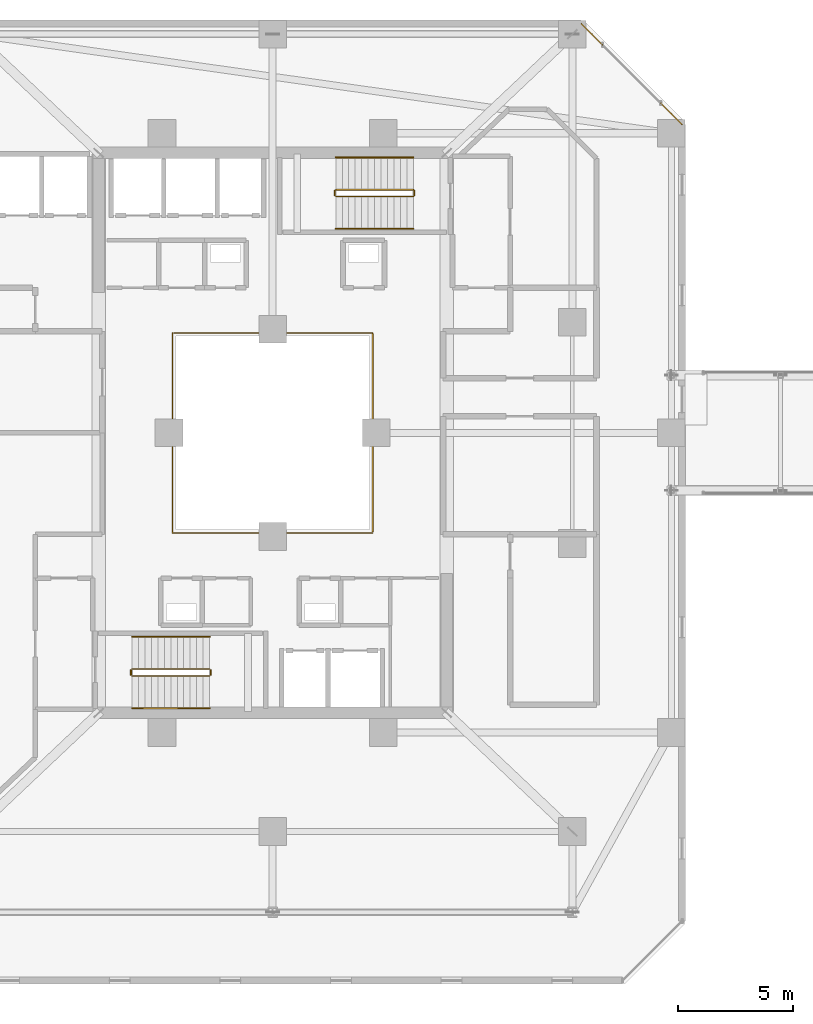
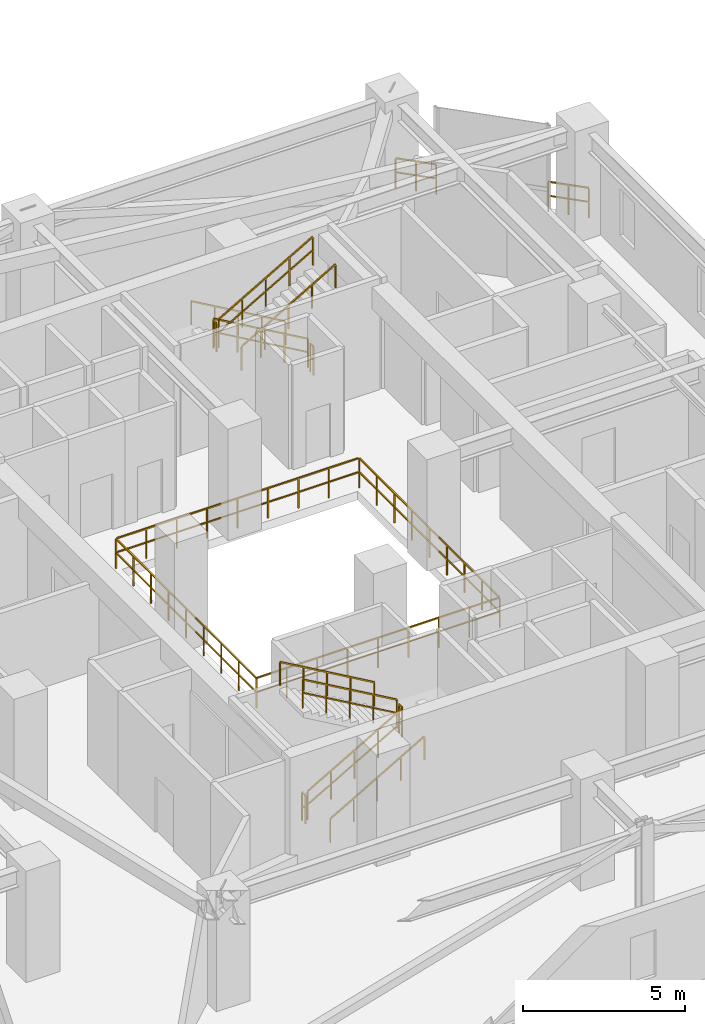
# One storey, part 44 of 45: 15 railings.
"""IFC4 building model written with IfcOpenShell, lengths in metres."""

from ifc_helpers import new_model, si_unit, direction, frame, origin, origin_2d, place, context, subcontext, project, spatial, rectangle, extrude, material, type_object, element, save


model = new_model("IFC4")

# Units and contexts
model_context = context("Model", 3, precision=1e-05, world=origin(), true_north=direction((0.0, 1.0)))
body_context = subcontext(model_context, "Body", "Model", "MODEL_VIEW")
ifc_project = project(units=[si_unit("LENGTHUNIT", "METRE"), si_unit("AREAUNIT", "SQUARE_METRE"), si_unit("VOLUMEUNIT", "CUBIC_METRE"), si_unit("PLANEANGLEUNIT", "RADIAN"), si_unit("MASSUNIT", "GRAM", prefix="KILO")], contexts=[model_context])

# Site, building, storey
site_placement = place(None, origin())
site = spatial("IfcSite", under=ifc_project, at=site_placement, CompositionType="ELEMENT")
building_placement = place(site_placement, origin())
building = spatial("IfcBuilding", under=site, at=building_placement, Name="Thornwick Lancets Civic Towers", CompositionType="ELEMENT")
storey_placement = place(building_placement, frame((0.0, 0.0, 141.300048828125)))
storey = spatial("IfcBuildingStorey", under=building, at=storey_placement, Name="L37", CompositionType="ELEMENT", Elevation=141.300048828125)

# Railings
ifc_material_1 = material(Name="Laminated glass and bronze steel S355", Category="steel")
railing_type_1 = type_object("IfcRailingType", Name="RAIL_ATRIUM_GUARD", PredefinedType="BALUSTRADE", material=ifc_material_1)
railing_1_placement = place(storey_placement, frame((21.159912109375, 22.659912109375, 0.0)))
element("IfcRailing", 1, at=railing_1_placement, inside=storey, type_object=railing_type_1, Name="L37 Tower A Central Atrium Guard Balustrade", PredefinedType="BALUSTRADE", context=body_context, shape_type="SweptSolid", body=[
    extrude(rectangle(XDim=0.048095703125, YDim=0.048095703125, at=origin_2d()), frame((0.0, 0.0, 1.1259765625), z_axis=(1.0, 0.0, 0.0), x_axis=(0.0, 1.0, 0.0)), (0.0, 0.0, 1.0), 8.64892578125),
    extrude(rectangle(XDim=0.0419921875, YDim=0.0419921875, at=origin_2d()), frame((0.03759765625, 0.0, 0.597900390625), z_axis=(1.0, 0.0, 0.0), x_axis=(0.0, 1.0, 0.0)), (0.0, 0.0, 1.0), 1.010009765625),
    extrude(rectangle(XDim=0.0419921875, YDim=0.0419921875, at=origin_2d()), frame((1.12255859375, 0.0, 0.597900390625), z_axis=(1.0, 0.0, 0.0), x_axis=(0.0, 1.0, 0.0)), (0.0, 0.0, 1.0), 1.010009765625),
    extrude(rectangle(XDim=0.0419921875, YDim=0.0419921875, at=origin_2d()), frame((2.20751953125, 0.0, 0.597900390625), z_axis=(1.0, 0.0, 0.0), x_axis=(0.0, 1.0, 0.0)), (0.0, 0.0, 1.0), 1.010009765625),
    extrude(rectangle(XDim=0.0419921875, YDim=0.0419921875, at=origin_2d()), frame((3.29248046875, 0.0, 0.597900390625), z_axis=(1.0, 0.0, 0.0), x_axis=(0.0, 1.0, 0.0)), (0.0, 0.0, 1.0), 1.010009765625),
    extrude(rectangle(XDim=0.0419921875, YDim=0.0419921875, at=origin_2d()), frame((4.377685546875, 0.0, 0.597900390625), z_axis=(1.0, 0.0, 0.0), x_axis=(0.0, 1.0, 0.0)), (0.0, 0.0, 1.0), 1.010009765625),
    extrude(rectangle(XDim=0.0419921875, YDim=0.0419921875, at=origin_2d()), frame((5.462646484375, 0.0, 0.597900390625), z_axis=(1.0, 0.0, 0.0), x_axis=(0.0, 1.0, 0.0)), (0.0, 0.0, 1.0), 1.010009765625),
    extrude(rectangle(XDim=0.0419921875, YDim=0.0419921875, at=origin_2d()), frame((6.547607421875, 0.0, 0.597900390625), z_axis=(1.0, 0.0, 0.0), x_axis=(0.0, 1.0, 0.0)), (0.0, 0.0, 1.0), 1.010009765625),
    extrude(rectangle(XDim=0.0419921875, YDim=0.0419921875, at=origin_2d()), frame((7.632568359375, 0.0, 0.597900390625), z_axis=(1.0, 0.0, 0.0), x_axis=(0.0, 1.0, 0.0)), (0.0, 0.0, 1.0), 1.010009765625),
    extrude(rectangle(XDim=0.048095703125, YDim=0.048095703125, at=origin_2d()), frame((8.68017578125, 0.03125, 1.1259765625), z_axis=(0.0, 1.0, 0.0), x_axis=(-1.0, 0.0, 0.0)), (0.0, 0.0, 1.0), 8.61767578125),
    extrude(rectangle(XDim=0.0419921875, YDim=0.0419921875, at=origin_2d()), frame((8.68017578125, 0.03759765625, 0.597900390625), z_axis=(0.0, 1.0, 0.0), x_axis=(-1.0, 0.0, 0.0)), (0.0, 0.0, 1.0), 1.010009765625),
    extrude(rectangle(XDim=0.0419921875, YDim=0.0419921875, at=origin_2d()), frame((8.68017578125, 1.12255859375, 0.597900390625), z_axis=(0.0, 1.0, 0.0), x_axis=(-1.0, 0.0, 0.0)), (0.0, 0.0, 1.0), 1.010009765625),
    extrude(rectangle(XDim=0.0419921875, YDim=0.0419921875, at=origin_2d()), frame((8.68017578125, 2.20751953125, 0.597900390625), z_axis=(0.0, 1.0, 0.0), x_axis=(-1.0, 0.0, 0.0)), (0.0, 0.0, 1.0), 1.010009765625),
    extrude(rectangle(XDim=0.0419921875, YDim=0.0419921875, at=origin_2d()), frame((8.68017578125, 3.29248046875, 0.597900390625), z_axis=(0.0, 1.0, 0.0), x_axis=(-1.0, 0.0, 0.0)), (0.0, 0.0, 1.0), 1.010009765625),
    extrude(rectangle(XDim=0.0419921875, YDim=0.0419921875, at=origin_2d()), frame((8.68017578125, 4.377685546875, 0.597900390625), z_axis=(0.0, 1.0, 0.0), x_axis=(-1.0, 0.0, 0.0)), (0.0, 0.0, 1.0), 1.010009765625),
    extrude(rectangle(XDim=0.0419921875, YDim=0.0419921875, at=origin_2d()), frame((8.68017578125, 5.462646484375, 0.597900390625), z_axis=(0.0, 1.0, 0.0), x_axis=(-1.0, 0.0, 0.0)), (0.0, 0.0, 1.0), 1.010009765625),
    extrude(rectangle(XDim=0.0419921875, YDim=0.0419921875, at=origin_2d()), frame((8.68017578125, 6.547607421875, 0.597900390625), z_axis=(0.0, 1.0, 0.0), x_axis=(-1.0, 0.0, 0.0)), (0.0, 0.0, 1.0), 1.010009765625),
    extrude(rectangle(XDim=0.0419921875, YDim=0.0419921875, at=origin_2d()), frame((8.68017578125, 7.632568359375, 0.597900390625), z_axis=(0.0, 1.0, 0.0), x_axis=(-1.0, 0.0, 0.0)), (0.0, 0.0, 1.0), 1.010009765625),
    extrude(rectangle(XDim=0.048095703125, YDim=0.048095703125, at=origin_2d()), frame((8.64892578125, 8.68017578125, 1.1259765625), z_axis=(-1.0, 0.0, 0.0), x_axis=(0.0, -1.0, 0.0)), (0.0, 0.0, 1.0), 8.61767578125),
    extrude(rectangle(XDim=0.0419921875, YDim=0.0419921875, at=origin_2d()), frame((8.642578125, 8.68017578125, 0.597900390625), z_axis=(-1.0, 0.0, 0.0), x_axis=(0.0, -1.0, 0.0)), (0.0, 0.0, 1.0), 1.010009765625),
    extrude(rectangle(XDim=0.0419921875, YDim=0.0419921875, at=origin_2d()), frame((7.5576171875, 8.68017578125, 0.597900390625), z_axis=(-1.0, 0.0, 0.0), x_axis=(0.0, -1.0, 0.0)), (0.0, 0.0, 1.0), 1.010009765625),
    extrude(rectangle(XDim=0.0419921875, YDim=0.0419921875, at=origin_2d()), frame((6.47265625, 8.68017578125, 0.597900390625), z_axis=(-1.0, 0.0, 0.0), x_axis=(0.0, -1.0, 0.0)), (0.0, 0.0, 1.0), 1.010009765625),
    extrude(rectangle(XDim=0.0419921875, YDim=0.0419921875, at=origin_2d()), frame((5.3876953125, 8.68017578125, 0.597900390625), z_axis=(-1.0, 0.0, 0.0), x_axis=(0.0, -1.0, 0.0)), (0.0, 0.0, 1.0), 1.010009765625),
    extrude(rectangle(XDim=0.0419921875, YDim=0.0419921875, at=origin_2d()), frame((4.302490234375, 8.68017578125, 0.597900390625), z_axis=(-1.0, 0.0, 0.0), x_axis=(0.0, -1.0, 0.0)), (0.0, 0.0, 1.0), 1.010009765625),
    extrude(rectangle(XDim=0.0419921875, YDim=0.0419921875, at=origin_2d()), frame((3.217529296875, 8.68017578125, 0.597900390625), z_axis=(-1.0, 0.0, 0.0), x_axis=(0.0, -1.0, 0.0)), (0.0, 0.0, 1.0), 1.010009765625),
    extrude(rectangle(XDim=0.0419921875, YDim=0.0419921875, at=origin_2d()), frame((2.132568359375, 8.68017578125, 0.597900390625), z_axis=(-1.0, 0.0, 0.0), x_axis=(0.0, -1.0, 0.0)), (0.0, 0.0, 1.0), 1.010009765625),
    extrude(rectangle(XDim=0.0419921875, YDim=0.0419921875, at=origin_2d()), frame((1.047607421875, 8.68017578125, 0.597900390625), z_axis=(-1.0, 0.0, 0.0), x_axis=(0.0, -1.0, 0.0)), (0.0, 0.0, 1.0), 1.010009765625),
    extrude(rectangle(XDim=0.048095703125, YDim=0.048095703125, at=origin_2d()), frame((0.0, 8.64892578125, 1.1259765625), z_axis=(0.0, -1.0, 0.0), x_axis=(1.0, 0.0, 0.0)), (0.0, 0.0, 1.0), 8.64892578125),
    extrude(rectangle(XDim=0.0419921875, YDim=0.0419921875, at=origin_2d()), frame((0.0, 8.642578125, 0.597900390625), z_axis=(0.0, -1.0, 0.0), x_axis=(1.0, 0.0, 0.0)), (0.0, 0.0, 1.0), 1.010009765625),
    extrude(rectangle(XDim=0.0419921875, YDim=0.0419921875, at=origin_2d()), frame((0.0, 7.5576171875, 0.597900390625), z_axis=(0.0, -1.0, 0.0), x_axis=(1.0, 0.0, 0.0)), (0.0, 0.0, 1.0), 1.010009765625),
    extrude(rectangle(XDim=0.0419921875, YDim=0.0419921875, at=origin_2d()), frame((0.0, 6.47265625, 0.597900390625), z_axis=(0.0, -1.0, 0.0), x_axis=(1.0, 0.0, 0.0)), (0.0, 0.0, 1.0), 1.010009765625),
    extrude(rectangle(XDim=0.0419921875, YDim=0.0419921875, at=origin_2d()), frame((0.0, 5.3876953125, 0.597900390625), z_axis=(0.0, -1.0, 0.0), x_axis=(1.0, 0.0, 0.0)), (0.0, 0.0, 1.0), 1.010009765625),
    extrude(rectangle(XDim=0.0419921875, YDim=0.0419921875, at=origin_2d()), frame((0.0, 4.302490234375, 0.597900390625), z_axis=(0.0, -1.0, 0.0), x_axis=(1.0, 0.0, 0.0)), (0.0, 0.0, 1.0), 1.010009765625),
    extrude(rectangle(XDim=0.0419921875, YDim=0.0419921875, at=origin_2d()), frame((0.0, 3.217529296875, 0.597900390625), z_axis=(0.0, -1.0, 0.0), x_axis=(1.0, 0.0, 0.0)), (0.0, 0.0, 1.0), 1.010009765625),
    extrude(rectangle(XDim=0.0419921875, YDim=0.0419921875, at=origin_2d()), frame((0.0, 2.132568359375, 0.597900390625), z_axis=(0.0, -1.0, 0.0), x_axis=(1.0, 0.0, 0.0)), (0.0, 0.0, 1.0), 1.010009765625),
    extrude(rectangle(XDim=0.0419921875, YDim=0.0419921875, at=origin_2d()), frame((0.0, 1.047607421875, 0.597900390625), z_axis=(0.0, -1.0, 0.0), x_axis=(1.0, 0.0, 0.0)), (0.0, 0.0, 1.0), 1.010009765625),
    extrude(rectangle(XDim=0.0419921875, YDim=0.0419921875, at=origin_2d()), origin(), (0.0, 0.0, 1.0), 1.095703125),
    extrude(rectangle(XDim=0.0419921875, YDim=0.0419921875, at=origin_2d()), frame((1.0849609375, 0.0, 0.0)), (0.0, 0.0, 1.0), 1.095703125),
    extrude(rectangle(XDim=0.0419921875, YDim=0.0419921875, at=origin_2d()), frame((2.169921875, 0.0, 0.0)), (0.0, 0.0, 1.0), 1.095703125),
    extrude(rectangle(XDim=0.0419921875, YDim=0.0419921875, at=origin_2d()), frame((3.255126953125, 0.0, 0.0)), (0.0, 0.0, 1.0), 1.095703125),
    extrude(rectangle(XDim=0.0419921875, YDim=0.0419921875, at=origin_2d()), frame((4.340087890625, 0.0, 0.0)), (0.0, 0.0, 1.0), 1.095703125),
    extrude(rectangle(XDim=0.0419921875, YDim=0.0419921875, at=origin_2d()), frame((5.425048828125, 0.0, 0.0)), (0.0, 0.0, 1.0), 1.095703125),
    extrude(rectangle(XDim=0.0419921875, YDim=0.0419921875, at=origin_2d()), frame((6.51025390625, 0.0, 0.0)), (0.0, 0.0, 1.0), 1.095703125),
    extrude(rectangle(XDim=0.0419921875, YDim=0.0419921875, at=origin_2d()), frame((7.59521484375, 0.0, 0.0)), (0.0, 0.0, 1.0), 1.095703125),
    extrude(rectangle(XDim=0.0419921875, YDim=0.0419921875, at=origin_2d()), frame((8.68017578125, 0.0, 0.0)), (0.0, 0.0, 1.0), 1.095703125),
    extrude(rectangle(XDim=0.0419921875, YDim=0.0419921875, at=origin_2d()), frame((8.68017578125, 1.0849609375, 0.0)), (0.0, 0.0, 1.0), 1.095703125),
    extrude(rectangle(XDim=0.0419921875, YDim=0.0419921875, at=origin_2d()), frame((8.68017578125, 2.169921875, 0.0)), (0.0, 0.0, 1.0), 1.095703125),
    extrude(rectangle(XDim=0.0419921875, YDim=0.0419921875, at=origin_2d()), frame((8.68017578125, 3.255126953125, 0.0)), (0.0, 0.0, 1.0), 1.095703125),
    extrude(rectangle(XDim=0.0419921875, YDim=0.0419921875, at=origin_2d()), frame((8.68017578125, 4.340087890625, 0.0)), (0.0, 0.0, 1.0), 1.095703125),
    extrude(rectangle(XDim=0.0419921875, YDim=0.0419921875, at=origin_2d()), frame((8.68017578125, 5.425048828125, 0.0)), (0.0, 0.0, 1.0), 1.095703125),
    extrude(rectangle(XDim=0.0419921875, YDim=0.0419921875, at=origin_2d()), frame((8.68017578125, 6.51025390625, 0.0)), (0.0, 0.0, 1.0), 1.095703125),
    extrude(rectangle(XDim=0.0419921875, YDim=0.0419921875, at=origin_2d()), frame((8.68017578125, 7.59521484375, 0.0)), (0.0, 0.0, 1.0), 1.095703125),
    extrude(rectangle(XDim=0.0419921875, YDim=0.0419921875, at=origin_2d()), frame((8.68017578125, 8.68017578125, 0.0)), (0.0, 0.0, 1.0), 1.095703125),
    extrude(rectangle(XDim=0.0419921875, YDim=0.0419921875, at=origin_2d()), frame((7.59521484375, 8.68017578125, 0.0)), (0.0, 0.0, 1.0), 1.095703125),
    extrude(rectangle(XDim=0.0419921875, YDim=0.0419921875, at=origin_2d()), frame((6.51025390625, 8.68017578125, 0.0)), (0.0, 0.0, 1.0), 1.095703125),
    extrude(rectangle(XDim=0.0419921875, YDim=0.0419921875, at=origin_2d()), frame((5.425048828125, 8.68017578125, 0.0)), (0.0, 0.0, 1.0), 1.095703125),
    extrude(rectangle(XDim=0.0419921875, YDim=0.0419921875, at=origin_2d()), frame((4.340087890625, 8.68017578125, 0.0)), (0.0, 0.0, 1.0), 1.095703125),
    extrude(rectangle(XDim=0.0419921875, YDim=0.0419921875, at=origin_2d()), frame((3.255126953125, 8.68017578125, 0.0)), (0.0, 0.0, 1.0), 1.095703125),
    extrude(rectangle(XDim=0.0419921875, YDim=0.0419921875, at=origin_2d()), frame((2.169921875, 8.68017578125, 0.0)), (0.0, 0.0, 1.0), 1.095703125),
    extrude(rectangle(XDim=0.0419921875, YDim=0.0419921875, at=origin_2d()), frame((1.0849609375, 8.68017578125, 0.0)), (0.0, 0.0, 1.0), 1.095703125),
    extrude(rectangle(XDim=0.0419921875, YDim=0.0419921875, at=origin_2d()), frame((0.0, 8.68017578125, 0.0)), (0.0, 0.0, 1.0), 1.095703125),
    extrude(rectangle(XDim=0.0419921875, YDim=0.0419921875, at=origin_2d()), frame((0.0, 7.59521484375, 0.0)), (0.0, 0.0, 1.0), 1.095703125),
    extrude(rectangle(XDim=0.0419921875, YDim=0.0419921875, at=origin_2d()), frame((0.0, 6.51025390625, 0.0)), (0.0, 0.0, 1.0), 1.095703125),
    extrude(rectangle(XDim=0.0419921875, YDim=0.0419921875, at=origin_2d()), frame((0.0, 5.425048828125, 0.0)), (0.0, 0.0, 1.0), 1.095703125),
    extrude(rectangle(XDim=0.0419921875, YDim=0.0419921875, at=origin_2d()), frame((0.0, 4.340087890625, 0.0)), (0.0, 0.0, 1.0), 1.095703125),
    extrude(rectangle(XDim=0.0419921875, YDim=0.0419921875, at=origin_2d()), frame((0.0, 3.255126953125, 0.0)), (0.0, 0.0, 1.0), 1.095703125),
    extrude(rectangle(XDim=0.0419921875, YDim=0.0419921875, at=origin_2d()), frame((0.0, 2.169921875, 0.0)), (0.0, 0.0, 1.0), 1.095703125),
    extrude(rectangle(XDim=0.0419921875, YDim=0.0419921875, at=origin_2d()), frame((0.0, 1.0849609375, 0.0)), (0.0, 0.0, 1.0), 1.095703125),
])
ifc_material_2 = material(Name="Brushed stainless steel S355", Category="steel")
railing_type_2 = type_object("IfcRailingType", Name="RAIL_HANDRAIL", PredefinedType="HANDRAIL", material=ifc_material_2)
railing_2_placement = place(storey_placement, frame((19.39990234375, 15.050048828125, 0.161376953125)))
element("IfcRailing", 2, at=railing_2_placement, inside=storey, type_object=railing_type_2, Name="L37 ST-A1 stair handrail 1", PredefinedType="HANDRAIL", context=body_context, shape_type="SweptSolid", body=[
    extrude(rectangle(XDim=0.048095703125, YDim=0.048095703125, at=origin_2d()), frame((0.0, 0.0, 0.8857421875), z_axis=(0.866190824863, 0.0, 0.499713372768), x_axis=(0.0, 1.0, 0.0)), (0.0, 0.0, 1.0), 3.879150390625),
    extrude(rectangle(XDim=0.0419921875, YDim=0.0419921875, at=origin_2d()), origin(), (0.0, 0.0, 1.0), 0.855712890625),
    extrude(rectangle(XDim=0.0419921875, YDim=0.0419921875, at=origin_2d()), frame((0.840087890625, 0.0, 0.484619140625)), (0.0, 0.0, 1.0), 0.855712890625),
    extrude(rectangle(XDim=0.0419921875, YDim=0.0419921875, at=origin_2d()), frame((1.68017578125, 0.0, 0.96923828125)), (0.0, 0.0, 1.0), 0.855712890625),
    extrude(rectangle(XDim=0.0419921875, YDim=0.0419921875, at=origin_2d()), frame((2.52001953125, 0.0, 1.453857421875)), (0.0, 0.0, 1.0), 0.855712890625),
    extrude(rectangle(XDim=0.0419921875, YDim=0.0419921875, at=origin_2d()), frame((3.360107421875, 0.0, 1.9384765625)), (0.0, 0.0, 1.0), 0.855712890625),
])
for number, where, name in (
    (3, (22.760009765625, 18.14990234375, 2.261474609375), "L37 ST-A1 stair handrail 2"),
    (4, (31.60009765625, 38.949951171875, 0.161376953125), "L37 ST-A2 stair handrail 1"),
):
    element("IfcRailing", number, at=place(storey_placement, frame(where)), inside=storey, type_object=railing_type_2, Name=name, PredefinedType="HANDRAIL", context=body_context, shape_type="SweptSolid", body=[
        extrude(rectangle(XDim=0.048095703125, YDim=0.048095703125, at=origin_2d()), frame((0.0, 0.0, 0.8857421875), z_axis=(-0.866190824863, 0.0, 0.499713372768), x_axis=(0.0, -1.0, 0.0)), (0.0, 0.0, 1.0), 3.879150390625),
        extrude(rectangle(XDim=0.0419921875, YDim=0.0419921875, at=origin_2d()), origin(), (0.0, 0.0, 1.0), 0.855712890625),
        extrude(rectangle(XDim=0.0419921875, YDim=0.0419921875, at=origin_2d()), frame((-0.840087890625, 0.0, 0.484619140625)), (0.0, 0.0, 1.0), 0.855712890625),
        extrude(rectangle(XDim=0.0419921875, YDim=0.0419921875, at=origin_2d()), frame((-1.68017578125, 0.0, 0.96923828125)), (0.0, 0.0, 1.0), 0.855712890625),
        extrude(rectangle(XDim=0.0419921875, YDim=0.0419921875, at=origin_2d()), frame((-2.52001953125, 0.0, 1.453857421875)), (0.0, 0.0, 1.0), 0.855712890625),
        extrude(rectangle(XDim=0.0419921875, YDim=0.0419921875, at=origin_2d()), frame((-3.360107421875, 0.0, 1.9384765625)), (0.0, 0.0, 1.0), 0.855712890625),
    ])
railing_3_placement = place(storey_placement, frame((28.239990234375, 35.85009765625, 2.261474609375)))
element("IfcRailing", 5, at=railing_3_placement, inside=storey, type_object=railing_type_2, Name="L37 ST-A2 stair handrail 2", PredefinedType="HANDRAIL", context=body_context, shape_type="SweptSolid", body=[
    extrude(rectangle(XDim=0.048095703125, YDim=0.048095703125, at=origin_2d()), frame((0.0, 0.0, 0.8857421875), z_axis=(0.866190824863, 0.0, 0.499713372768), x_axis=(0.0, 1.0, 0.0)), (0.0, 0.0, 1.0), 3.879150390625),
    extrude(rectangle(XDim=0.0419921875, YDim=0.0419921875, at=origin_2d()), origin(), (0.0, 0.0, 1.0), 0.855712890625),
    extrude(rectangle(XDim=0.0419921875, YDim=0.0419921875, at=origin_2d()), frame((0.840087890625, 0.0, 0.484619140625)), (0.0, 0.0, 1.0), 0.855712890625),
    extrude(rectangle(XDim=0.0419921875, YDim=0.0419921875, at=origin_2d()), frame((1.68017578125, 0.0, 0.96923828125)), (0.0, 0.0, 1.0), 0.855712890625),
    extrude(rectangle(XDim=0.0419921875, YDim=0.0419921875, at=origin_2d()), frame((2.52001953125, 0.0, 1.453857421875)), (0.0, 0.0, 1.0), 0.855712890625),
    extrude(rectangle(XDim=0.0419921875, YDim=0.0419921875, at=origin_2d()), frame((3.360107421875, 0.0, 1.9384765625)), (0.0, 0.0, 1.0), 0.855712890625),
])
ifc_material_3 = material(Name="Steel S355JR", Category="steel")
railing_type_3 = type_object("IfcRailingType", Name="RAIL_STAIR_GUARD", PredefinedType="GUARDRAIL", material=ifc_material_3)
railing_4_placement = place(storey_placement, frame((19.39990234375, 16.449951171875, 0.161376953125)))
element("IfcRailing", 6, at=railing_4_placement, inside=storey, type_object=railing_type_3, Name="L37 ST-A1 stair guard 1", PredefinedType="GUARDRAIL", context=body_context, shape_type="SweptSolid", body=[
    extrude(rectangle(XDim=0.048095703125, YDim=0.048095703125, at=origin_2d()), frame((0.0, 0.0, 1.076171875), z_axis=(0.866190824863, 0.0, 0.499713372768), x_axis=(0.0, 1.0, 0.0)), (0.0, 0.0, 1.0), 3.879150390625),
    extrude(rectangle(XDim=0.0419921875, YDim=0.0419921875, at=origin_2d()), frame((0.032470703125, 0.0, 0.5908203125), z_axis=(0.866190824863, 0.0, 0.499713372768), x_axis=(0.0, 1.0, 0.0)), (0.0, 0.0, 1.0), 0.894775390625),
    extrude(rectangle(XDim=0.0419921875, YDim=0.0419921875, at=origin_2d()), frame((0.87255859375, 0.0, 1.075439453125), z_axis=(0.866190824863, 0.0, 0.499713372768), x_axis=(0.0, 1.0, 0.0)), (0.0, 0.0, 1.0), 0.894775390625),
    extrude(rectangle(XDim=0.0419921875, YDim=0.0419921875, at=origin_2d()), frame((1.712646484375, 0.0, 1.56005859375), z_axis=(0.866190824863, 0.0, 0.499713372768), x_axis=(0.0, 1.0, 0.0)), (0.0, 0.0, 1.0), 0.894775390625),
    extrude(rectangle(XDim=0.0419921875, YDim=0.0419921875, at=origin_2d()), frame((2.552490234375, 0.0, 2.044677734375), z_axis=(0.866190824863, 0.0, 0.499713372768), x_axis=(0.0, 1.0, 0.0)), (0.0, 0.0, 1.0), 0.894775390625),
    extrude(rectangle(XDim=0.0419921875, YDim=0.0419921875, at=origin_2d()), origin(), (0.0, 0.0, 1.0), 1.0458984375),
    extrude(rectangle(XDim=0.0419921875, YDim=0.0419921875, at=origin_2d()), frame((0.840087890625, 0.0, 0.484619140625)), (0.0, 0.0, 1.0), 1.0458984375),
    extrude(rectangle(XDim=0.0419921875, YDim=0.0419921875, at=origin_2d()), frame((1.68017578125, 0.0, 0.96923828125)), (0.0, 0.0, 1.0), 1.0458984375),
    extrude(rectangle(XDim=0.0419921875, YDim=0.0419921875, at=origin_2d()), frame((2.52001953125, 0.0, 1.453857421875)), (0.0, 0.0, 1.0), 1.0458984375),
    extrude(rectangle(XDim=0.0419921875, YDim=0.0419921875, at=origin_2d()), frame((3.360107421875, 0.0, 1.9384765625)), (0.0, 0.0, 1.0), 1.0458984375),
])
railing_5_placement = place(storey_placement, frame((22.81005859375, 16.5, 2.099853515625)))
element("IfcRailing", 7, at=railing_5_placement, inside=storey, type_object=railing_type_3, Name="L37 ST-A1 stair guard 2", PredefinedType="GUARDRAIL", context=body_context, shape_type="SweptSolid", body=[
    extrude(rectangle(XDim=0.048095703125, YDim=0.048095703125, at=origin_2d()), frame((0.0, 0.0, 1.076171875), z_axis=(0.0, 1.0, 0.0), x_axis=(-1.0, 0.0, 0.0)), (0.0, 0.0, 1.0), 0.199951171875),
    extrude(rectangle(XDim=0.0419921875, YDim=0.0419921875, at=origin_2d()), frame((0.0, 0.03759765625, 0.572021484375), z_axis=(0.0, 1.0, 0.0), x_axis=(-1.0, 0.0, 0.0)), (0.0, 0.0, 1.0), 0.125),
    extrude(rectangle(XDim=0.0419921875, YDim=0.0419921875, at=origin_2d()), origin(), (0.0, 0.0, 1.0), 1.0458984375),
    extrude(rectangle(XDim=0.0419921875, YDim=0.0419921875, at=origin_2d()), frame((0.0, 0.199951171875, 0.0)), (0.0, 0.0, 1.0), 1.0458984375),
])
railing_6_placement = place(storey_placement, frame((22.760009765625, 16.75, 2.261474609375)))
element("IfcRailing", 8, at=railing_6_placement, inside=storey, type_object=railing_type_3, Name="L37 ST-A1 stair guard 3", PredefinedType="GUARDRAIL", context=body_context, shape_type="SweptSolid", body=[
    extrude(rectangle(XDim=0.048095703125, YDim=0.048095703125, at=origin_2d()), frame((0.0, 0.0, 1.076171875), z_axis=(-0.866190824863, 0.0, 0.499713372768), x_axis=(0.0, -1.0, 0.0)), (0.0, 0.0, 1.0), 3.879150390625),
    extrude(rectangle(XDim=0.0419921875, YDim=0.0419921875, at=origin_2d()), frame((-0.032470703125, 0.0, 0.5908203125), z_axis=(-0.866190824863, 0.0, 0.499713372768), x_axis=(0.0, -1.0, 0.0)), (0.0, 0.0, 1.0), 0.894775390625),
    extrude(rectangle(XDim=0.0419921875, YDim=0.0419921875, at=origin_2d()), frame((-0.87255859375, 0.0, 1.075439453125), z_axis=(-0.866190824863, 0.0, 0.499713372768), x_axis=(0.0, -1.0, 0.0)), (0.0, 0.0, 1.0), 0.894775390625),
    extrude(rectangle(XDim=0.0419921875, YDim=0.0419921875, at=origin_2d()), frame((-1.712646484375, 0.0, 1.56005859375), z_axis=(-0.866190824863, 0.0, 0.499713372768), x_axis=(0.0, -1.0, 0.0)), (0.0, 0.0, 1.0), 0.894775390625),
    extrude(rectangle(XDim=0.0419921875, YDim=0.0419921875, at=origin_2d()), frame((-2.552490234375, 0.0, 2.044677734375), z_axis=(-0.866190824863, 0.0, 0.499713372768), x_axis=(0.0, -1.0, 0.0)), (0.0, 0.0, 1.0), 0.894775390625),
    extrude(rectangle(XDim=0.0419921875, YDim=0.0419921875, at=origin_2d()), origin(), (0.0, 0.0, 1.0), 1.0458984375),
    extrude(rectangle(XDim=0.0419921875, YDim=0.0419921875, at=origin_2d()), frame((-0.840087890625, 0.0, 0.484619140625)), (0.0, 0.0, 1.0), 1.0458984375),
    extrude(rectangle(XDim=0.0419921875, YDim=0.0419921875, at=origin_2d()), frame((-1.68017578125, 0.0, 0.96923828125)), (0.0, 0.0, 1.0), 1.0458984375),
    extrude(rectangle(XDim=0.0419921875, YDim=0.0419921875, at=origin_2d()), frame((-2.52001953125, 0.0, 1.453857421875)), (0.0, 0.0, 1.0), 1.0458984375),
    extrude(rectangle(XDim=0.0419921875, YDim=0.0419921875, at=origin_2d()), frame((-3.360107421875, 0.0, 1.9384765625)), (0.0, 0.0, 1.0), 1.0458984375),
])
railing_7_placement = place(storey_placement, frame((19.35009765625, 16.5, 0.0)))
element("IfcRailing", 9, at=railing_7_placement, inside=storey, type_object=railing_type_3, Name="L37 ST-A1 stair guard 4", PredefinedType="GUARDRAIL", context=body_context, shape_type="SweptSolid", body=[
    extrude(rectangle(XDim=0.048095703125, YDim=0.048095703125, at=origin_2d()), frame((0.0, 0.0, 1.076171875), z_axis=(0.0, 1.0, 0.0), x_axis=(-1.0, 0.0, 0.0)), (0.0, 0.0, 1.0), 0.199951171875),
    extrude(rectangle(XDim=0.0419921875, YDim=0.0419921875, at=origin_2d()), frame((0.0, 0.03759765625, 0.572021484375), z_axis=(0.0, 1.0, 0.0), x_axis=(-1.0, 0.0, 0.0)), (0.0, 0.0, 1.0), 0.125),
    extrude(rectangle(XDim=0.0419921875, YDim=0.0419921875, at=origin_2d()), origin(), (0.0, 0.0, 1.0), 1.0458984375),
    extrude(rectangle(XDim=0.0419921875, YDim=0.0419921875, at=origin_2d()), frame((0.0, 0.199951171875, 0.0)), (0.0, 0.0, 1.0), 1.0458984375),
])
railing_8_placement = place(storey_placement, frame((31.60009765625, 37.550048828125, 0.161376953125)))
element("IfcRailing", 10, at=railing_8_placement, inside=storey, type_object=railing_type_3, Name="L37 ST-A2 stair guard 1", PredefinedType="GUARDRAIL", context=body_context, shape_type="SweptSolid", body=[
    extrude(rectangle(XDim=0.048095703125, YDim=0.048095703125, at=origin_2d()), frame((0.0, 0.0, 1.076171875), z_axis=(-0.866190824863, 0.0, 0.499713372768), x_axis=(0.0, -1.0, 0.0)), (0.0, 0.0, 1.0), 3.879150390625),
    extrude(rectangle(XDim=0.0419921875, YDim=0.0419921875, at=origin_2d()), frame((-0.032470703125, 0.0, 0.5908203125), z_axis=(-0.866190824863, 0.0, 0.499713372768), x_axis=(0.0, -1.0, 0.0)), (0.0, 0.0, 1.0), 0.894775390625),
    extrude(rectangle(XDim=0.0419921875, YDim=0.0419921875, at=origin_2d()), frame((-0.87255859375, 0.0, 1.075439453125), z_axis=(-0.866190824863, 0.0, 0.499713372768), x_axis=(0.0, -1.0, 0.0)), (0.0, 0.0, 1.0), 0.894775390625),
    extrude(rectangle(XDim=0.0419921875, YDim=0.0419921875, at=origin_2d()), frame((-1.712646484375, 0.0, 1.56005859375), z_axis=(-0.866190824863, 0.0, 0.499713372768), x_axis=(0.0, -1.0, 0.0)), (0.0, 0.0, 1.0), 0.894775390625),
    extrude(rectangle(XDim=0.0419921875, YDim=0.0419921875, at=origin_2d()), frame((-2.552490234375, 0.0, 2.044677734375), z_axis=(-0.866190824863, 0.0, 0.499713372768), x_axis=(0.0, -1.0, 0.0)), (0.0, 0.0, 1.0), 0.894775390625),
    extrude(rectangle(XDim=0.0419921875, YDim=0.0419921875, at=origin_2d()), origin(), (0.0, 0.0, 1.0), 1.0458984375),
    extrude(rectangle(XDim=0.0419921875, YDim=0.0419921875, at=origin_2d()), frame((-0.840087890625, 0.0, 0.484619140625)), (0.0, 0.0, 1.0), 1.0458984375),
    extrude(rectangle(XDim=0.0419921875, YDim=0.0419921875, at=origin_2d()), frame((-1.68017578125, 0.0, 0.96923828125)), (0.0, 0.0, 1.0), 1.0458984375),
    extrude(rectangle(XDim=0.0419921875, YDim=0.0419921875, at=origin_2d()), frame((-2.52001953125, 0.0, 1.453857421875)), (0.0, 0.0, 1.0), 1.0458984375),
    extrude(rectangle(XDim=0.0419921875, YDim=0.0419921875, at=origin_2d()), frame((-3.360107421875, 0.0, 1.9384765625)), (0.0, 0.0, 1.0), 1.0458984375),
])
railing_9_placement = place(storey_placement, frame((28.18994140625, 37.5, 2.099853515625)))
element("IfcRailing", 11, at=railing_9_placement, inside=storey, type_object=railing_type_3, Name="L37 ST-A2 stair guard 2", PredefinedType="GUARDRAIL", context=body_context, shape_type="SweptSolid", body=[
    extrude(rectangle(XDim=0.048095703125, YDim=0.048095703125, at=origin_2d()), frame((0.0, 0.0, 1.076171875), z_axis=(0.0, -1.0, 0.0), x_axis=(1.0, 0.0, 0.0)), (0.0, 0.0, 1.0), 0.199951171875),
    extrude(rectangle(XDim=0.0419921875, YDim=0.0419921875, at=origin_2d()), frame((0.0, -0.03759765625, 0.572021484375), z_axis=(0.0, -1.0, 0.0), x_axis=(1.0, 0.0, 0.0)), (0.0, 0.0, 1.0), 0.125),
    extrude(rectangle(XDim=0.0419921875, YDim=0.0419921875, at=origin_2d()), origin(), (0.0, 0.0, 1.0), 1.0458984375),
    extrude(rectangle(XDim=0.0419921875, YDim=0.0419921875, at=origin_2d()), frame((0.0, -0.199951171875, 0.0)), (0.0, 0.0, 1.0), 1.0458984375),
])
railing_10_placement = place(storey_placement, frame((28.239990234375, 37.25, 2.261474609375)))
element("IfcRailing", 12, at=railing_10_placement, inside=storey, type_object=railing_type_3, Name="L37 ST-A2 stair guard 3", PredefinedType="GUARDRAIL", context=body_context, shape_type="SweptSolid", body=[
    extrude(rectangle(XDim=0.048095703125, YDim=0.048095703125, at=origin_2d()), frame((0.0, 0.0, 1.076171875), z_axis=(0.866190824863, 0.0, 0.499713372768), x_axis=(0.0, 1.0, 0.0)), (0.0, 0.0, 1.0), 3.879150390625),
    extrude(rectangle(XDim=0.0419921875, YDim=0.0419921875, at=origin_2d()), frame((0.032470703125, 0.0, 0.5908203125), z_axis=(0.866190824863, 0.0, 0.499713372768), x_axis=(0.0, 1.0, 0.0)), (0.0, 0.0, 1.0), 0.894775390625),
    extrude(rectangle(XDim=0.0419921875, YDim=0.0419921875, at=origin_2d()), frame((0.87255859375, 0.0, 1.075439453125), z_axis=(0.866190824863, 0.0, 0.499713372768), x_axis=(0.0, 1.0, 0.0)), (0.0, 0.0, 1.0), 0.894775390625),
    extrude(rectangle(XDim=0.0419921875, YDim=0.0419921875, at=origin_2d()), frame((1.712646484375, 0.0, 1.56005859375), z_axis=(0.866190824863, 0.0, 0.499713372768), x_axis=(0.0, 1.0, 0.0)), (0.0, 0.0, 1.0), 0.894775390625),
    extrude(rectangle(XDim=0.0419921875, YDim=0.0419921875, at=origin_2d()), frame((2.552490234375, 0.0, 2.044677734375), z_axis=(0.866190824863, 0.0, 0.499713372768), x_axis=(0.0, 1.0, 0.0)), (0.0, 0.0, 1.0), 0.894775390625),
    extrude(rectangle(XDim=0.0419921875, YDim=0.0419921875, at=origin_2d()), origin(), (0.0, 0.0, 1.0), 1.0458984375),
    extrude(rectangle(XDim=0.0419921875, YDim=0.0419921875, at=origin_2d()), frame((0.840087890625, 0.0, 0.484619140625)), (0.0, 0.0, 1.0), 1.0458984375),
    extrude(rectangle(XDim=0.0419921875, YDim=0.0419921875, at=origin_2d()), frame((1.68017578125, 0.0, 0.96923828125)), (0.0, 0.0, 1.0), 1.0458984375),
    extrude(rectangle(XDim=0.0419921875, YDim=0.0419921875, at=origin_2d()), frame((2.52001953125, 0.0, 1.453857421875)), (0.0, 0.0, 1.0), 1.0458984375),
    extrude(rectangle(XDim=0.0419921875, YDim=0.0419921875, at=origin_2d()), frame((3.360107421875, 0.0, 1.9384765625)), (0.0, 0.0, 1.0), 1.0458984375),
])
railing_11_placement = place(storey_placement, frame((31.64990234375, 37.5, 0.0)))
element("IfcRailing", 13, at=railing_11_placement, inside=storey, type_object=railing_type_3, Name="L37 ST-A2 stair guard 4", PredefinedType="GUARDRAIL", context=body_context, shape_type="SweptSolid", body=[
    extrude(rectangle(XDim=0.048095703125, YDim=0.048095703125, at=origin_2d()), frame((0.0, 0.0, 1.076171875), z_axis=(0.0, -1.0, 0.0), x_axis=(1.0, 0.0, 0.0)), (0.0, 0.0, 1.0), 0.199951171875),
    extrude(rectangle(XDim=0.0419921875, YDim=0.0419921875, at=origin_2d()), frame((0.0, -0.03759765625, 0.572021484375), z_axis=(0.0, -1.0, 0.0), x_axis=(1.0, 0.0, 0.0)), (0.0, 0.0, 1.0), 0.125),
    extrude(rectangle(XDim=0.0419921875, YDim=0.0419921875, at=origin_2d()), origin(), (0.0, 0.0, 1.0), 1.0458984375),
    extrude(rectangle(XDim=0.0419921875, YDim=0.0419921875, at=origin_2d()), frame((0.0, -0.199951171875, 0.0)), (0.0, 0.0, 1.0), 1.0458984375),
])
ifc_material_4 = material(Name="Terracotta-capped laminated glass balustrade S355", Category="masonry")
railing_type_4 = type_object("IfcRailingType", Name="RAIL_TERR_GUARD", PredefinedType="GUARDRAIL", material=ifc_material_4)
for number, where, name in (
    (14, (43.2587890625, 40.388427734375, 0.0), "L37 Tower A Chamfer Spandrel Guard E3-1"),
    (15, (39.8076171875, 43.839599609375, 0.0), "L37 Tower A Chamfer Spandrel Guard E3-2"),
):
    element("IfcRailing", number, at=place(storey_placement, frame(where)), inside=storey, type_object=railing_type_4, Name=name, PredefinedType="GUARDRAIL", context=body_context, shape_type="SweptSolid", body=[
        extrude(rectangle(XDim=0.048095703125, YDim=0.048095703125, at=origin_2d()), frame((0.0, 0.0, 1.1259765625), z_axis=(-0.707106781187, 0.707106781187, 0.0), x_axis=(-0.707106781187, -0.707106781187, 0.0)), (0.0, 0.0, 1.0), 1.300048828125),
        extrude(rectangle(XDim=0.0419921875, YDim=0.0419921875, at=origin_2d()), frame((-0.026611328125, 0.026611328125, 0.597900390625), z_axis=(-0.707106781187, 0.707106781187, 0.0), x_axis=(-0.707106781187, -0.707106781187, 0.0)), (0.0, 0.0, 1.0), 0.574951171875),
        extrude(rectangle(XDim=0.0419921875, YDim=0.0419921875, at=origin_2d()), frame((-0.486083984375, 0.486083984375, 0.597900390625), z_axis=(-0.707106781187, 0.707106781187, 0.0), x_axis=(-0.707106781187, -0.707106781187, 0.0)), (0.0, 0.0, 1.0), 0.574951171875),
        extrude(rectangle(XDim=0.0419921875, YDim=0.0419921875, at=origin_2d()), origin(), (0.0, 0.0, 1.0), 1.095703125),
        extrude(rectangle(XDim=0.0419921875, YDim=0.0419921875, at=origin_2d()), frame((-0.45947265625, 0.45947265625, 0.0)), (0.0, 0.0, 1.0), 1.095703125),
        extrude(rectangle(XDim=0.0419921875, YDim=0.0419921875, at=origin_2d()), frame((-0.919189453125, 0.919189453125, 0.0)), (0.0, 0.0, 1.0), 1.095703125),
    ])

save(model, "model.ifc")
